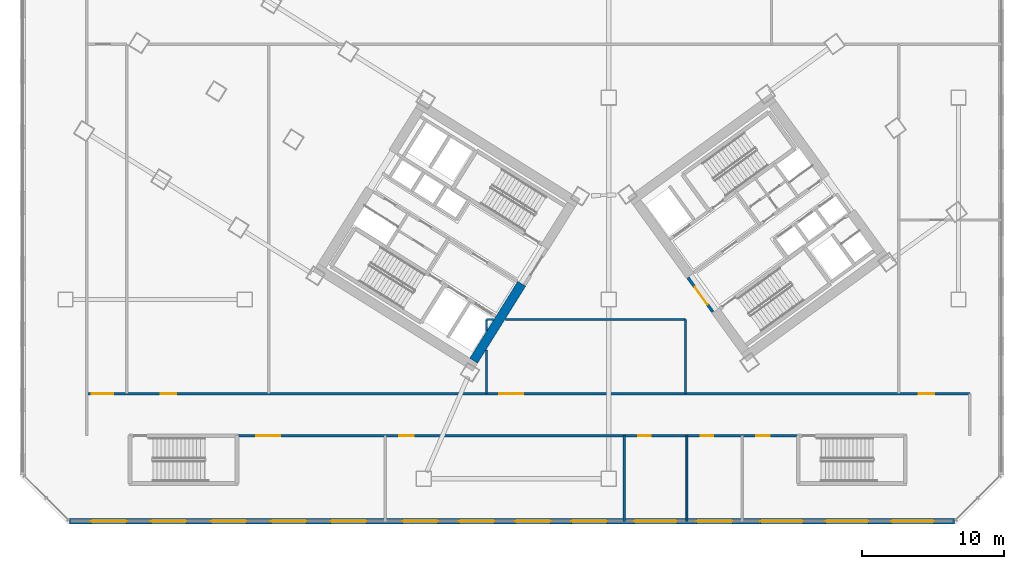
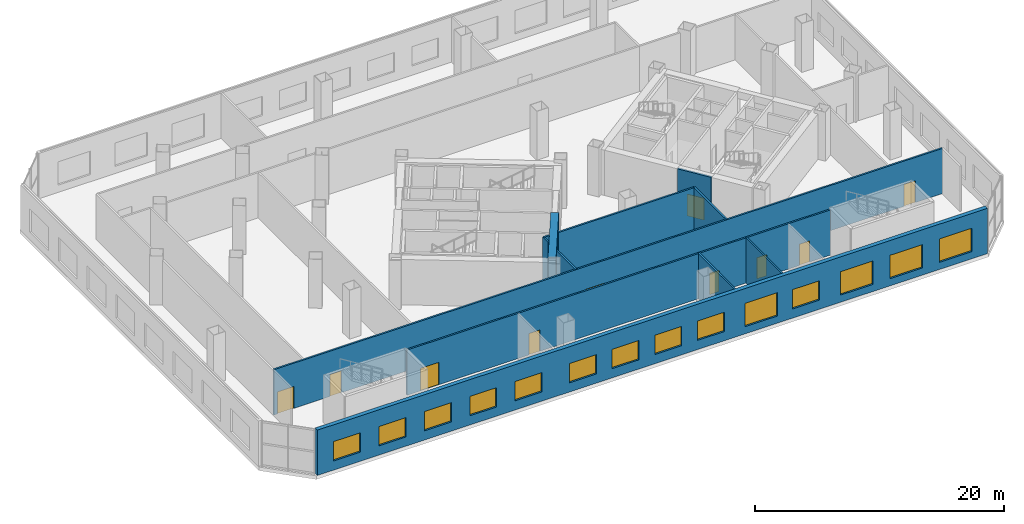
# One storey, part 11 of 22: 14 windows, 12 walls, 10 doors, 24 openings.
"""IFC4 building model written with IfcOpenShell, lengths in metres."""

from ifc_helpers import new_model, si_unit, direction, frame, frame_2d, origin, place, context, subcontext, project, spatial, rectangle, extrude, source, transform, mapped, material, layer, layer_set, type_object, element, fill, save


model = new_model("IFC4")

# Units and contexts
model_context = context("Model", 3, precision=1e-05, world=origin(), true_north=direction((0.0, 1.0)))
body_context = subcontext(model_context, "Body", "Model", "MODEL_VIEW")
ifc_project = project(units=[si_unit("LENGTHUNIT", "METRE"), si_unit("AREAUNIT", "SQUARE_METRE"), si_unit("VOLUMEUNIT", "CUBIC_METRE"), si_unit("PLANEANGLEUNIT", "RADIAN"), si_unit("MASSUNIT", "GRAM", prefix="KILO")], contexts=[model_context])

# Site, building, storey
site_placement = place(None, origin())
site = spatial("IfcSite", under=ifc_project, at=site_placement, CompositionType="ELEMENT")
building_placement = place(site_placement, origin())
building = spatial("IfcBuilding", under=site, at=building_placement, Name="Tlacorven Tower", CompositionType="ELEMENT")
storey_placement = place(building_placement, frame((0.0, 0.0, 5.39990234375)))
storey = spatial("IfcBuildingStorey", under=building, at=storey_placement, Name="L01", CompositionType="ELEMENT", Elevation=5.39990234375)

# Wall
ifc_material_1 = material(Name="Concrete C60/75", Category="concrete")
ifc_layer_1 = layer(ifc_material_1, 0.64990234375)
ifc_layer_set_1 = layer_set([ifc_layer_1], Name="Concrete C60/75")
wall_type_1 = type_object("IfcWallType", Name="WL-COR-650", PredefinedType="SHEAR", material=ifc_layer_set_1)
wall_1_placement = place(storey_placement, frame((36.683349609375, 18.30419921875, 0.0), z_axis=(0.0, 0.0, 1.0), x_axis=(-0.529899109053, -0.848060690178, 0.0)))
element("IfcWall", 1, at=wall_1_placement, inside=storey, type_object=wall_type_1, Name="L01 W core end wall E1.2", PredefinedType="SHEAR", context=body_context, shape_type="SweptSolid", body=[
    extrude(rectangle(XDim=6.375244140625, YDim=0.64990234375, at=frame_2d((3.1875, 0.0))), origin(), (0.0, 0.0, 1.0), 4.4501953125),
])

# Wall, openings, doors
ifc_material_2 = material(Name="Gypsum plasterboard acoustic partition", Category="gypsum")
ifc_layer_2 = layer(ifc_material_2, 0.159912109375)
ifc_layer_set_2 = layer_set([ifc_layer_2], Name="Gypsum plasterboard acoustic partition")
wall_type_2 = type_object("IfcWallType", Name="WL-DEM-160", PredefinedType="PARTITIONING", material=ifc_layer_set_2)
wall_2_placement = place(storey_placement, frame((6.10009765625, 10.580078125, 0.0), z_axis=(0.0, 0.0, 1.0), x_axis=(1.0, 0.0, 0.0)))
wall_2 = element("IfcWall", 2, at=wall_2_placement, inside=storey, type_object=wall_type_2, Name="L01 partition 65", PredefinedType="PARTITIONING", context=body_context, shape_type="SweptSolid", body=[
    extrude(rectangle(XDim=62.099853515625, YDim=0.159912109375, at=frame_2d((31.0498046875, 0.0))), origin(), (0.0, 0.0, 1.0), 4.440185546875),
])
opening_1_placement = place(wall_2_placement, frame((29.0, 0.0, 0.0)))
opening_1 = element("IfcOpeningElement", 3, at=opening_1_placement, cuts=wall_2, Name="Opening D17", PredefinedType="OPENING", context=body_context, shape_type="SweptSolid", body=[
    extrude(rectangle(XDim=1.699951171875, YDim=2.199951171875, at=frame_2d((0.85009765625, 1.10009765625))), frame((0.0, 0.08984375, 0.0), z_axis=(0.0, -1.0, 0.0), x_axis=(1.0, 0.0, 0.0)), (0.0, 0.0, 1.0), 0.179931640625),
])
opening_2_placement = place(wall_2_placement, frame((0.35009765625, 0.0, 0.0)))
opening_2 = element("IfcOpeningElement", 4, at=opening_2_placement, cuts=wall_2, Name="Opening D10", PredefinedType="OPENING", context=body_context, shape_type="SweptSolid", body=[
    extrude(rectangle(XDim=1.5, YDim=2.14990234375, at=frame_2d((0.75, 1.074951171875))), frame((0.0, 0.08984375, 0.0), z_axis=(0.0, -1.0, 0.0), x_axis=(1.0, 0.0, 0.0)), (0.0, 0.0, 1.0), 0.179931640625),
])
opening_3_placement = place(wall_2_placement, frame((5.199951171875, 0.0, 0.0)))
opening_3 = element("IfcOpeningElement", 5, at=opening_3_placement, cuts=wall_2, Name="Opening D15", PredefinedType="OPENING", context=body_context, shape_type="SweptSolid", body=[
    extrude(rectangle(XDim=1.080078125, YDim=2.14990234375, at=frame_2d((0.5400390625, 1.074951171875))), frame((0.0, 0.08984375, 0.0), z_axis=(0.0, -1.0, 0.0), x_axis=(1.0, 0.0, 0.0)), (0.0, 0.0, 1.0), 0.179931640625),
])
opening_4_placement = place(wall_2_placement, frame((58.5, 0.0, 0.0)))
opening_4 = element("IfcOpeningElement", 6, at=opening_4_placement, cuts=wall_2, Name="Opening D15", PredefinedType="OPENING", context=body_context, shape_type="SweptSolid", body=[
    extrude(rectangle(XDim=1.080078125, YDim=2.14990234375, at=frame_2d((0.5400390625, 1.074951171875))), frame((0.0, 0.08984375, 0.0), z_axis=(0.0, -1.0, 0.0), x_axis=(1.0, 0.0, 0.0)), (0.0, 0.0, 1.0), 0.179931640625),
])
ifc_material_3 = material(Name="Fire-rated steel door assembly", Category="steel")
door_type_1 = type_object("IfcDoorType", Name="DR-LOB-FD60-1500", OperationType="DOUBLE_DOOR_SINGLE_SWING", PredefinedType="DOOR", material=ifc_material_3)
shared_shape_1 = source(origin(), body_context, "Body", "SweptSolid", [
    extrude(rectangle(XDim=1.5, YDim=2.14990234375, at=frame_2d((0.75, 1.074951171875))), frame((0.0, 0.02490234375, 0.0), z_axis=(0.0, -1.0, 0.0), x_axis=(1.0, 0.0, 0.0)), (0.0, 0.0, 1.0), 0.050048828125),
])
door_1_placement = place(opening_2_placement, origin())
door_1 = element("IfcDoor", 7, at=door_1_placement, inside=storey, type_object=door_type_1, Name="L01 door 032", OperationType="DOUBLE_DOOR_SINGLE_SWING", OverallHeight=2.14990234375, OverallWidth=1.5, PredefinedType="DOOR", context=body_context, shape_type="MappedRepresentation", body=[
    mapped(shared_shape_1, transform((0.0, 0.0, 0.0), scale=1.0)),
])
fill(opening_2, door_1)
door_type_2 = type_object("IfcDoorType", Name="DR-COM-HALL-1700", OperationType="DOUBLE_DOOR_SINGLE_SWING", PredefinedType="DOOR", material=ifc_material_3)
shared_shape_2 = source(origin(), body_context, "Body", "SweptSolid", [
    extrude(rectangle(XDim=1.699951171875, YDim=2.199951171875, at=frame_2d((0.85009765625, 1.10009765625))), frame((0.0, 0.02490234375, 0.0), z_axis=(0.0, -1.0, 0.0), x_axis=(1.0, 0.0, 0.0)), (0.0, 0.0, 1.0), 0.050048828125),
])
door_2_placement = place(opening_1_placement, origin())
door_2 = element("IfcDoor", 8, at=door_2_placement, inside=storey, type_object=door_type_2, Name="L01 door 024", OperationType="DOUBLE_DOOR_SINGLE_SWING", OverallHeight=2.199951171875, OverallWidth=1.699951171875, PredefinedType="DOOR", context=body_context, shape_type="MappedRepresentation", body=[
    mapped(shared_shape_2, transform((0.0, 0.0, 0.0), scale=1.0)),
])
fill(opening_1, door_2)
door_type_3 = type_object("IfcDoorType", Name="DR-CLN-CONS-1080", OperationType="NOTDEFINED", PredefinedType="DOOR", material=ifc_material_3)
shared_shape_3 = source(origin(), body_context, "Body", "SweptSolid", [
    extrude(rectangle(XDim=1.080078125, YDim=2.14990234375, at=frame_2d((0.5400390625, 1.074951171875))), frame((0.0, 0.02490234375, 0.0), z_axis=(0.0, -1.0, 0.0), x_axis=(1.0, 0.0, 0.0)), (0.0, 0.0, 1.0), 0.050048828125),
])
door_3_placement = place(opening_3_placement, origin())
door_3 = element("IfcDoor", 9, at=door_3_placement, inside=storey, type_object=door_type_3, Name="L01 door 037", OperationType="SINGLE_SWING_LEFT", OverallHeight=2.14990234375, OverallWidth=1.080078125, PredefinedType="DOOR", context=body_context, shape_type="MappedRepresentation", body=[
    mapped(shared_shape_3, transform((0.0, 0.0, 0.0), scale=1.0)),
])
fill(opening_3, door_3)
door_4_placement = place(opening_4_placement, origin())
door_4 = element("IfcDoor", 10, at=door_4_placement, inside=storey, type_object=door_type_3, Name="L01 door 038", OperationType="SINGLE_SWING_RIGHT", OverallHeight=2.14990234375, OverallWidth=1.080078125, PredefinedType="DOOR", context=body_context, shape_type="MappedRepresentation", body=[
    mapped(shared_shape_3, transform((0.0, 0.0, 0.0), scale=1.0)),
])
fill(opening_4, door_4)

wall_3_placement = place(storey_placement, frame((16.739990234375, 7.6201171875, 0.0), z_axis=(0.0, 0.0, 1.0), x_axis=(1.0, 0.0, 0.0)))
wall_3 = element("IfcWall", 11, at=wall_3_placement, inside=storey, type_object=wall_type_2, Name="L01 partition 66", PredefinedType="PARTITIONING", context=body_context, shape_type="SweptSolid", body=[
    extrude(rectangle(XDim=39.320068359375, YDim=0.159912109375, at=frame_2d((19.66015625, 0.0))), origin(), (0.0, 0.0, 1.0), 4.440185546875),
])
opening_5_placement = place(wall_3_placement, frame((1.260009765625, 0.0, 0.0)))
opening_5 = element("IfcOpeningElement", 12, at=opening_5_placement, cuts=wall_3, Name="Opening D17", PredefinedType="OPENING", context=body_context, shape_type="SweptSolid", body=[
    extrude(rectangle(XDim=1.699951171875, YDim=2.199951171875, at=frame_2d((0.85009765625, 1.10009765625))), frame((0.0, 0.08984375, 0.0), z_axis=(0.0, -1.0, 0.0), x_axis=(1.0, 0.0, 0.0)), (0.0, 0.0, 1.0), 0.179931640625),
])
opening_6_placement = place(wall_3_placement, frame((11.340087890625, 0.0, 0.0)))
opening_6 = element("IfcOpeningElement", 13, at=opening_6_placement, cuts=wall_3, Name="Opening D11", PredefinedType="OPENING", context=body_context, shape_type="SweptSolid", body=[
    extrude(rectangle(XDim=1.0, YDim=2.10009765625, at=frame_2d((0.5, 1.050048828125))), frame((0.0, 0.08984375, 0.0), z_axis=(0.0, -1.0, 0.0), x_axis=(1.0, 0.0, 0.0)), (0.0, 0.0, 1.0), 0.179931640625),
])
opening_7_placement = place(wall_3_placement, frame((28.139892578125, 0.0, 0.0)))
opening_7 = element("IfcOpeningElement", 14, at=opening_7_placement, cuts=wall_3, Name="Opening D13", PredefinedType="OPENING", context=body_context, shape_type="SweptSolid", body=[
    extrude(rectangle(XDim=0.8798828125, YDim=2.080078125, at=frame_2d((0.43994140625, 1.0400390625))), frame((0.0, 0.08984375, 0.0), z_axis=(0.0, -1.0, 0.0), x_axis=(1.0, 0.0, 0.0)), (0.0, 0.0, 1.0), 0.179931640625),
])
opening_8_placement = place(wall_3_placement, frame((32.5400390625, 0.0, 0.0)))
opening_8 = element("IfcOpeningElement", 15, at=opening_8_placement, cuts=wall_3, Name="Opening D13", PredefinedType="OPENING", context=body_context, shape_type="SweptSolid", body=[
    extrude(rectangle(XDim=0.8798828125, YDim=2.080078125, at=frame_2d((0.43994140625, 1.0400390625))), frame((0.0, 0.08984375, 0.0), z_axis=(0.0, -1.0, 0.0), x_axis=(1.0, 0.0, 0.0)), (0.0, 0.0, 1.0), 0.179931640625),
])
opening_9_placement = place(wall_3_placement, frame((36.43994140625, 0.0, 0.0)))
opening_9 = element("IfcOpeningElement", 16, at=opening_9_placement, cuts=wall_3, Name="Opening D14", PredefinedType="OPENING", context=body_context, shape_type="SweptSolid", body=[
    extrude(rectangle(XDim=0.9599609375, YDim=2.080078125, at=frame_2d((0.47998046875, 1.0400390625))), frame((0.0, 0.08984375, 0.0), z_axis=(0.0, -1.0, 0.0), x_axis=(1.0, 0.0, 0.0)), (0.0, 0.0, 1.0), 0.179931640625),
])
door_5_placement = place(opening_5_placement, frame((1.699951171875, 0.0, 0.0), z_axis=(0.0, 0.0, 1.0), x_axis=(-1.0, 0.0, 0.0)))
door_5 = element("IfcDoor", 17, at=door_5_placement, inside=storey, type_object=door_type_2, Name="L01 door 027", OperationType="DOUBLE_DOOR_SINGLE_SWING", OverallHeight=2.199951171875, OverallWidth=1.699951171875, PredefinedType="DOOR", context=body_context, shape_type="MappedRepresentation", body=[
    mapped(shared_shape_2, transform((0.0, 0.0, 0.0), scale=1.0)),
])
fill(opening_5, door_5)
door_type_4 = type_object("IfcDoorType", Name="DR-FLT-FD60-1000", OperationType="NOTDEFINED", PredefinedType="DOOR", material=ifc_material_3)
shared_shape_4 = source(origin(), body_context, "Body", "SweptSolid", [
    extrude(rectangle(XDim=1.0, YDim=2.10009765625, at=frame_2d((0.5, 1.050048828125))), frame((0.0, 0.02490234375, 0.0), z_axis=(0.0, -1.0, 0.0), x_axis=(1.0, 0.0, 0.0)), (0.0, 0.0, 1.0), 0.050048828125),
])
door_6_placement = place(opening_6_placement, frame((1.0, 0.0, 0.0), z_axis=(0.0, 0.0, 1.0), x_axis=(-1.0, 0.0, 0.0)))
door_6 = element("IfcDoor", 18, at=door_6_placement, inside=storey, type_object=door_type_4, Name="L01 door 028", OperationType="SINGLE_SWING_RIGHT", OverallHeight=2.10009765625, OverallWidth=1.0, PredefinedType="DOOR", context=body_context, shape_type="MappedRepresentation", body=[
    mapped(shared_shape_4, transform((0.0, 0.0, 0.0), scale=1.0)),
])
fill(opening_6, door_6)
ifc_material_4 = material(Name="Powder-coated aluminium and timber door", Category="wood")
door_type_5 = type_object("IfcDoorType", Name="DR-INT-WET-0880", OperationType="NOTDEFINED", PredefinedType="DOOR", material=ifc_material_4)
shared_shape_5 = source(origin(), body_context, "Body", "SweptSolid", [
    extrude(rectangle(XDim=0.8798828125, YDim=2.080078125, at=frame_2d((0.43994140625, 1.0400390625))), frame((0.0, 0.02490234375, 0.0), z_axis=(0.0, -1.0, 0.0), x_axis=(1.0, 0.0, 0.0)), (0.0, 0.0, 1.0), 0.050048828125),
])
door_7_placement = place(opening_7_placement, frame((0.8798828125, 0.0, 0.0), z_axis=(0.0, 0.0, 1.0), x_axis=(-1.0, 0.0, 0.0)))
door_7 = element("IfcDoor", 19, at=door_7_placement, inside=storey, type_object=door_type_5, Name="L01 door 029", OperationType="SINGLE_SWING_LEFT", OverallHeight=2.080078125, OverallWidth=0.8798828125, PredefinedType="DOOR", context=body_context, shape_type="MappedRepresentation", body=[
    mapped(shared_shape_5, transform((0.0, 0.0, 0.0), scale=1.0)),
])
fill(opening_7, door_7)
door_8_placement = place(opening_8_placement, frame((0.8798828125, 0.0, 0.0), z_axis=(0.0, 0.0, 1.0), x_axis=(-1.0, 0.0, 0.0)))
door_8 = element("IfcDoor", 20, at=door_8_placement, inside=storey, type_object=door_type_5, Name="L01 door 030", OperationType="SINGLE_SWING_RIGHT", OverallHeight=2.080078125, OverallWidth=0.8798828125, PredefinedType="DOOR", context=body_context, shape_type="MappedRepresentation", body=[
    mapped(shared_shape_5, transform((0.0, 0.0, 0.0), scale=1.0)),
])
fill(opening_8, door_8)
door_type_6 = type_object("IfcDoorType", Name="DR-INT-AWC-0960", OperationType="NOTDEFINED", PredefinedType="DOOR", material=ifc_material_4)
shared_shape_6 = source(origin(), body_context, "Body", "SweptSolid", [
    extrude(rectangle(XDim=0.9599609375, YDim=2.080078125, at=frame_2d((0.47998046875, 1.0400390625))), frame((0.0, 0.02490234375, 0.0), z_axis=(0.0, -1.0, 0.0), x_axis=(1.0, 0.0, 0.0)), (0.0, 0.0, 1.0), 0.050048828125),
])
door_9_placement = place(opening_9_placement, frame((0.9599609375, 0.0, 0.0), z_axis=(0.0, 0.0, 1.0), x_axis=(-1.0, 0.0, 0.0)))
door_9 = element("IfcDoor", 21, at=door_9_placement, inside=storey, type_object=door_type_6, Name="L01 door 031", OperationType="SINGLE_SWING_LEFT", OverallHeight=2.080078125, OverallWidth=0.9599609375, PredefinedType="DOOR", context=body_context, shape_type="MappedRepresentation", body=[
    mapped(shared_shape_6, transform((0.0, 0.0, 0.0), scale=1.0)),
])
fill(opening_9, door_9)

# Walls
wall_4_placement = place(storey_placement, frame((34.199951171875, 10.580078125, 0.0), z_axis=(0.0, 0.0, 1.0), x_axis=(0.0, 1.0, 0.0)))
element("IfcWall", 22, at=wall_4_placement, inside=storey, type_object=wall_type_2, Name="L01 partition 67", PredefinedType="PARTITIONING", context=body_context, shape_type="SweptSolid", body=[
    extrude(rectangle(XDim=3.08544921875, YDim=0.159912109375, at=frame_2d((1.542724609375, 0.0))), origin(), (0.0, 0.0, 1.0), 4.440185546875),
])
wall_5_placement = place(storey_placement, frame((34.199951171875, 14.993896484375, 0.0), z_axis=(0.0, 0.0, 1.0), x_axis=(0.0, 1.0, 0.0)))
element("IfcWall", 23, at=wall_5_placement, inside=storey, type_object=wall_type_2, Name="L01 partition 67", PredefinedType="PARTITIONING", context=body_context, shape_type="SweptSolid", body=[
    extrude(rectangle(XDim=0.80615234375, YDim=0.159912109375, at=frame_2d((0.403076171875, 0.0))), origin(), (0.0, 0.0, 1.0), 4.440185546875),
])
wall_6_placement = place(storey_placement, frame((48.199951171875, 10.580078125, 0.0), z_axis=(0.0, 0.0, 1.0), x_axis=(0.0, 1.0, 0.0)))
element("IfcWall", 24, at=wall_6_placement, inside=storey, type_object=wall_type_2, Name="L01 partition 68", PredefinedType="PARTITIONING", context=body_context, shape_type="SweptSolid", body=[
    extrude(rectangle(XDim=5.219970703125, YDim=0.159912109375, at=frame_2d((2.60986328125, 0.0))), origin(), (0.0, 0.0, 1.0), 4.440185546875),
])
wall_7_placement = place(storey_placement, frame((34.199951171875, 15.800048828125, 0.0), z_axis=(0.0, 0.0, 1.0), x_axis=(1.0, 0.0, 0.0)))
element("IfcWall", 25, at=wall_7_placement, inside=storey, type_object=wall_type_2, Name="L01 partition 69", PredefinedType="PARTITIONING", context=body_context, shape_type="SweptSolid", body=[
    extrude(rectangle(XDim=0.503662109375, YDim=0.159912109375, at=frame_2d((0.251953125, 0.0))), origin(), (0.0, 0.0, 1.0), 4.440185546875),
])
wall_8_placement = place(storey_placement, frame((35.53369140625, 15.800048828125, 0.0), z_axis=(0.0, 0.0, 1.0), x_axis=(1.0, 0.0, 0.0)))
element("IfcWall", 26, at=wall_8_placement, inside=storey, type_object=wall_type_2, Name="L01 partition 69", PredefinedType="PARTITIONING", context=body_context, shape_type="SweptSolid", body=[
    extrude(rectangle(XDim=12.666259765625, YDim=0.159912109375, at=frame_2d((6.3330078125, 0.0))), origin(), (0.0, 0.0, 1.0), 4.440185546875),
])
wall_9_placement = place(storey_placement, frame((43.889892578125, 1.60009765625, 0.0), z_axis=(0.0, 0.0, 1.0), x_axis=(0.0, 1.0, 0.0)))
element("IfcWall", 27, at=wall_9_placement, inside=storey, type_object=wall_type_2, Name="L01 partition 71", PredefinedType="PARTITIONING", context=body_context, shape_type="SweptSolid", body=[
    extrude(rectangle(XDim=6.02001953125, YDim=0.159912109375, at=frame_2d((3.010009765625, 0.0))), origin(), (0.0, 0.0, 1.0), 4.440185546875),
])

# Wall, openings, windows
ifc_material_5 = material(Name="Precast concrete C45/55", Category="concrete")
ifc_layer_3 = layer(ifc_material_5, 0.3798828125)
ifc_layer_set_3 = layer_set([ifc_layer_3], Name="Precast concrete C45/55")
wall_type_3 = type_object("IfcWallType", Name="WL-EXT-380", PredefinedType="STANDARD", material=ifc_layer_set_3)
wall_10_placement = place(storey_placement, frame((67.1171875, 1.60009765625, 0.0), z_axis=(0.0, 0.0, 1.0), x_axis=(-1.0, 0.0, 0.0)))
wall_10 = element("IfcWall", 28, at=wall_10_placement, inside=storey, type_object=wall_type_3, Name="L01 Podium Masonry-Frame Facade Wall 8", PredefinedType="STANDARD", context=body_context, shape_type="SweptSolid", body=[
    extrude(rectangle(XDim=62.234375, YDim=0.3798828125, at=frame_2d((31.1171875, 0.0))), origin(), (0.0, 0.0, 1.0), 4.4501953125),
])
opening_10_placement = place(wall_10_placement, frame((1.451171875, 0.0, 0.699951171875)))
opening_10 = element("IfcOpeningElement", 29, at=opening_10_placement, cuts=wall_10, Name="Opening WN17", PredefinedType="OPENING", context=body_context, shape_type="SweptSolid", body=[
    extrude(rectangle(XDim=3.0, YDim=2.300048828125, at=frame_2d((1.5, 1.14990234375))), frame((0.0, 0.199951171875, 0.0), z_axis=(0.0, -1.0, 0.0), x_axis=(1.0, 0.0, 0.0)), (0.0, 0.0, 1.0), 0.39990234375),
])
opening_11_placement = place(wall_10_placement, frame((6.0537109375, 0.0, 0.699951171875)))
opening_11 = element("IfcOpeningElement", 30, at=opening_11_placement, cuts=wall_10, Name="Opening WN17", PredefinedType="OPENING", context=body_context, shape_type="SweptSolid", body=[
    extrude(rectangle(XDim=3.0, YDim=2.300048828125, at=frame_2d((1.5, 1.14990234375))), frame((0.0, 0.199951171875, 0.0), z_axis=(0.0, -1.0, 0.0), x_axis=(1.0, 0.0, 0.0)), (0.0, 0.0, 1.0), 0.39990234375),
])
opening_12_placement = place(wall_10_placement, frame((10.656005859375, 0.0, 0.699951171875)))
opening_12 = element("IfcOpeningElement", 31, at=opening_12_placement, cuts=wall_10, Name="Opening WN17", PredefinedType="OPENING", context=body_context, shape_type="SweptSolid", body=[
    extrude(rectangle(XDim=3.0, YDim=2.300048828125, at=frame_2d((1.5, 1.14990234375))), frame((0.0, 0.199951171875, 0.0), z_axis=(0.0, -1.0, 0.0), x_axis=(1.0, 0.0, 0.0)), (0.0, 0.0, 1.0), 0.39990234375),
])
opening_13_placement = place(wall_10_placement, frame((15.627197265625, 0.0, 0.89990234375)))
opening_13 = element("IfcOpeningElement", 32, at=opening_13_placement, cuts=wall_10, Name="Opening WN18", PredefinedType="OPENING", context=body_context, shape_type="SweptSolid", body=[
    extrude(rectangle(XDim=2.5, YDim=1.89990234375, at=frame_2d((1.25, 0.949951171875))), frame((0.0, 0.199951171875, 0.0), z_axis=(0.0, -1.0, 0.0), x_axis=(1.0, 0.0, 0.0)), (0.0, 0.0, 1.0), 0.39990234375),
])
opening_14_placement = place(wall_10_placement, frame((19.522216796875, 0.0, 0.699951171875)))
opening_14 = element("IfcOpeningElement", 33, at=opening_14_placement, cuts=wall_10, Name="Opening WN17", PredefinedType="OPENING", context=body_context, shape_type="SweptSolid", body=[
    extrude(rectangle(XDim=3.0, YDim=2.300048828125, at=frame_2d((1.5, 1.14990234375))), frame((0.0, 0.199951171875, 0.0), z_axis=(0.0, -1.0, 0.0), x_axis=(1.0, 0.0, 0.0)), (0.0, 0.0, 1.0), 0.39990234375),
])
opening_15_placement = place(wall_10_placement, frame((24.437255859375, 0.0, 0.89990234375)))
opening_15 = element("IfcOpeningElement", 34, at=opening_15_placement, cuts=wall_10, Name="Opening WN18", PredefinedType="OPENING", context=body_context, shape_type="SweptSolid", body=[
    extrude(rectangle(XDim=2.5, YDim=1.89990234375, at=frame_2d((1.25, 0.949951171875))), frame((0.0, 0.199951171875, 0.0), z_axis=(0.0, -1.0, 0.0), x_axis=(1.0, 0.0, 0.0)), (0.0, 0.0, 1.0), 0.39990234375),
])
opening_16_placement = place(wall_10_placement, frame((28.397216796875, 0.0, 0.89990234375)))
opening_16 = element("IfcOpeningElement", 35, at=opening_16_placement, cuts=wall_10, Name="Opening WN18", PredefinedType="OPENING", context=body_context, shape_type="SweptSolid", body=[
    extrude(rectangle(XDim=2.5, YDim=1.89990234375, at=frame_2d((1.25, 0.949951171875))), frame((0.0, 0.199951171875, 0.0), z_axis=(0.0, -1.0, 0.0), x_axis=(1.0, 0.0, 0.0)), (0.0, 0.0, 1.0), 0.39990234375),
])
opening_17_placement = place(wall_10_placement, frame((32.357177734375, 0.0, 0.89990234375)))
opening_17 = element("IfcOpeningElement", 36, at=opening_17_placement, cuts=wall_10, Name="Opening WN18", PredefinedType="OPENING", context=body_context, shape_type="SweptSolid", body=[
    extrude(rectangle(XDim=2.5, YDim=1.89990234375, at=frame_2d((1.25, 0.949951171875))), frame((0.0, 0.199951171875, 0.0), z_axis=(0.0, -1.0, 0.0), x_axis=(1.0, 0.0, 0.0)), (0.0, 0.0, 1.0), 0.39990234375),
])
opening_18_placement = place(wall_10_placement, frame((36.317138671875, 0.0, 0.89990234375)))
opening_18 = element("IfcOpeningElement", 37, at=opening_18_placement, cuts=wall_10, Name="Opening WN18", PredefinedType="OPENING", context=body_context, shape_type="SweptSolid", body=[
    extrude(rectangle(XDim=2.5, YDim=1.89990234375, at=frame_2d((1.25, 0.949951171875))), frame((0.0, 0.199951171875, 0.0), z_axis=(0.0, -1.0, 0.0), x_axis=(1.0, 0.0, 0.0)), (0.0, 0.0, 1.0), 0.39990234375),
])
opening_19_placement = place(wall_10_placement, frame((41.364990234375, 0.0, 0.89990234375)))
opening_19 = element("IfcOpeningElement", 38, at=opening_19_placement, cuts=wall_10, Name="Opening WN18", PredefinedType="OPENING", context=body_context, shape_type="SweptSolid", body=[
    extrude(rectangle(XDim=2.5, YDim=1.89990234375, at=frame_2d((1.25, 0.949951171875))), frame((0.0, 0.199951171875, 0.0), z_axis=(0.0, -1.0, 0.0), x_axis=(1.0, 0.0, 0.0)), (0.0, 0.0, 1.0), 0.39990234375),
])
opening_20_placement = place(wall_10_placement, frame((45.580322265625, 0.0, 0.89990234375)))
opening_20 = element("IfcOpeningElement", 39, at=opening_20_placement, cuts=wall_10, Name="Opening WN18", PredefinedType="OPENING", context=body_context, shape_type="SweptSolid", body=[
    extrude(rectangle(XDim=2.5, YDim=1.89990234375, at=frame_2d((1.25, 0.949951171875))), frame((0.0, 0.199951171875, 0.0), z_axis=(0.0, -1.0, 0.0), x_axis=(1.0, 0.0, 0.0)), (0.0, 0.0, 1.0), 0.39990234375),
])
opening_21_placement = place(wall_10_placement, frame((49.795654296875, 0.0, 0.89990234375)))
opening_21 = element("IfcOpeningElement", 40, at=opening_21_placement, cuts=wall_10, Name="Opening WN18", PredefinedType="OPENING", context=body_context, shape_type="SweptSolid", body=[
    extrude(rectangle(XDim=2.5, YDim=1.89990234375, at=frame_2d((1.25, 0.949951171875))), frame((0.0, 0.199951171875, 0.0), z_axis=(0.0, -1.0, 0.0), x_axis=(1.0, 0.0, 0.0)), (0.0, 0.0, 1.0), 0.39990234375),
])
opening_22_placement = place(wall_10_placement, frame((54.01123046875, 0.0, 0.89990234375)))
opening_22 = element("IfcOpeningElement", 41, at=opening_22_placement, cuts=wall_10, Name="Opening WN18", PredefinedType="OPENING", context=body_context, shape_type="SweptSolid", body=[
    extrude(rectangle(XDim=2.5, YDim=1.89990234375, at=frame_2d((1.25, 0.949951171875))), frame((0.0, 0.199951171875, 0.0), z_axis=(0.0, -1.0, 0.0), x_axis=(1.0, 0.0, 0.0)), (0.0, 0.0, 1.0), 0.39990234375),
])
opening_23_placement = place(wall_10_placement, frame((58.2265625, 0.0, 0.89990234375)))
opening_23 = element("IfcOpeningElement", 42, at=opening_23_placement, cuts=wall_10, Name="Opening WN18", PredefinedType="OPENING", context=body_context, shape_type="SweptSolid", body=[
    extrude(rectangle(XDim=2.5, YDim=1.89990234375, at=frame_2d((1.25, 0.949951171875))), frame((0.0, 0.199951171875, 0.0), z_axis=(0.0, -1.0, 0.0), x_axis=(1.0, 0.0, 0.0)), (0.0, 0.0, 1.0), 0.39990234375),
])
ifc_material_6 = material(Name="Dark solar low-E double glazing in anodised aluminium frame", Category="aluminium")
window_type_1 = type_object("IfcWindowType", Name="WN-STN-3000X2600", PartitioningType="SINGLE_PANEL", PredefinedType="WINDOW", material=ifc_material_6)
shared_shape_7 = source(origin(), body_context, "Body", "SweptSolid", [
    extrude(rectangle(XDim=3.0, YDim=2.300048828125, at=frame_2d((1.5, 1.14990234375))), frame((0.0, 0.030029296875, 0.0), z_axis=(0.0, -1.0, 0.0), x_axis=(1.0, 0.0, 0.0)), (0.0, 0.0, 1.0), 0.06005859375),
])
window_1_placement = place(opening_10_placement, origin())
window_1 = element("IfcWindow", 43, at=window_1_placement, inside=storey, type_object=window_type_1, Name="L01 Podium Recessed Facade Window 8.1", OverallHeight=2.300048828125, OverallWidth=3.0, PartitioningType="SINGLE_PANEL", PredefinedType="WINDOW", context=body_context, shape_type="MappedRepresentation", body=[
    mapped(shared_shape_7, transform((0.0, 0.0, 0.0), scale=1.0)),
])
fill(opening_10, window_1)
window_2_placement = place(opening_11_placement, origin())
window_2 = element("IfcWindow", 44, at=window_2_placement, inside=storey, type_object=window_type_1, Name="L01 Podium Recessed Facade Window 8.2", OverallHeight=2.300048828125, OverallWidth=3.0, PartitioningType="SINGLE_PANEL", PredefinedType="WINDOW", context=body_context, shape_type="MappedRepresentation", body=[
    mapped(shared_shape_7, transform((0.0, 0.0, 0.0), scale=1.0)),
])
fill(opening_11, window_2)
window_3_placement = place(opening_12_placement, origin())
window_3 = element("IfcWindow", 45, at=window_3_placement, inside=storey, type_object=window_type_1, Name="L01 Podium Recessed Facade Window 8.3", OverallHeight=2.300048828125, OverallWidth=3.0, PartitioningType="SINGLE_PANEL", PredefinedType="WINDOW", context=body_context, shape_type="MappedRepresentation", body=[
    mapped(shared_shape_7, transform((0.0, 0.0, 0.0), scale=1.0)),
])
fill(opening_12, window_3)
window_4_placement = place(opening_14_placement, origin())
window_4 = element("IfcWindow", 46, at=window_4_placement, inside=storey, type_object=window_type_1, Name="L01 Podium Recessed Facade Window 8.5", OverallHeight=2.300048828125, OverallWidth=3.0, PartitioningType="SINGLE_PANEL", PredefinedType="WINDOW", context=body_context, shape_type="MappedRepresentation", body=[
    mapped(shared_shape_7, transform((0.0, 0.0, 0.0), scale=1.0)),
])
fill(opening_14, window_4)
window_type_2 = type_object("IfcWindowType", Name="WN-STN-2500X2000", PartitioningType="SINGLE_PANEL", PredefinedType="WINDOW", material=ifc_material_6)
shared_shape_8 = source(origin(), body_context, "Body", "SweptSolid", [
    extrude(rectangle(XDim=2.5, YDim=1.89990234375, at=frame_2d((1.25, 0.949951171875))), frame((0.0, 0.030029296875, 0.0), z_axis=(0.0, -1.0, 0.0), x_axis=(1.0, 0.0, 0.0)), (0.0, 0.0, 1.0), 0.06005859375),
])
window_5_placement = place(opening_13_placement, origin())
window_5 = element("IfcWindow", 47, at=window_5_placement, inside=storey, type_object=window_type_2, Name="L01 Podium Recessed Facade Window 8.4", OverallHeight=1.89990234375, OverallWidth=2.5, PartitioningType="SINGLE_PANEL", PredefinedType="WINDOW", context=body_context, shape_type="MappedRepresentation", body=[
    mapped(shared_shape_8, transform((0.0, 0.0, 0.0), scale=1.0)),
])
fill(opening_13, window_5)
window_6_placement = place(opening_15_placement, origin())
window_6 = element("IfcWindow", 48, at=window_6_placement, inside=storey, type_object=window_type_2, Name="L01 Podium Recessed Facade Window 8.6", OverallHeight=1.89990234375, OverallWidth=2.5, PartitioningType="SINGLE_PANEL", PredefinedType="WINDOW", context=body_context, shape_type="MappedRepresentation", body=[
    mapped(shared_shape_8, transform((0.0, 0.0, 0.0), scale=1.0)),
])
fill(opening_15, window_6)
window_7_placement = place(opening_16_placement, origin())
window_7 = element("IfcWindow", 49, at=window_7_placement, inside=storey, type_object=window_type_2, Name="L01 Podium Recessed Facade Window 8.7", OverallHeight=1.89990234375, OverallWidth=2.5, PartitioningType="SINGLE_PANEL", PredefinedType="WINDOW", context=body_context, shape_type="MappedRepresentation", body=[
    mapped(shared_shape_8, transform((0.0, 0.0, 0.0), scale=1.0)),
])
fill(opening_16, window_7)
window_8_placement = place(opening_17_placement, origin())
window_8 = element("IfcWindow", 50, at=window_8_placement, inside=storey, type_object=window_type_2, Name="L01 Podium Recessed Facade Window 8.8", OverallHeight=1.89990234375, OverallWidth=2.5, PartitioningType="SINGLE_PANEL", PredefinedType="WINDOW", context=body_context, shape_type="MappedRepresentation", body=[
    mapped(shared_shape_8, transform((0.0, 0.0, 0.0), scale=1.0)),
])
fill(opening_17, window_8)
window_9_placement = place(opening_18_placement, origin())
window_9 = element("IfcWindow", 51, at=window_9_placement, inside=storey, type_object=window_type_2, Name="L01 Podium Recessed Facade Window 8.9", OverallHeight=1.89990234375, OverallWidth=2.5, PartitioningType="SINGLE_PANEL", PredefinedType="WINDOW", context=body_context, shape_type="MappedRepresentation", body=[
    mapped(shared_shape_8, transform((0.0, 0.0, 0.0), scale=1.0)),
])
fill(opening_18, window_9)
window_10_placement = place(opening_19_placement, origin())
window_10 = element("IfcWindow", 52, at=window_10_placement, inside=storey, type_object=window_type_2, Name="L01 Podium Recessed Facade Window 8.10", OverallHeight=1.89990234375, OverallWidth=2.5, PartitioningType="SINGLE_PANEL", PredefinedType="WINDOW", context=body_context, shape_type="MappedRepresentation", body=[
    mapped(shared_shape_8, transform((0.0, 0.0, 0.0), scale=1.0)),
])
fill(opening_19, window_10)
window_11_placement = place(opening_20_placement, origin())
window_11 = element("IfcWindow", 53, at=window_11_placement, inside=storey, type_object=window_type_2, Name="L01 Podium Recessed Facade Window 8.11", OverallHeight=1.89990234375, OverallWidth=2.5, PartitioningType="SINGLE_PANEL", PredefinedType="WINDOW", context=body_context, shape_type="MappedRepresentation", body=[
    mapped(shared_shape_8, transform((0.0, 0.0, 0.0), scale=1.0)),
])
fill(opening_20, window_11)
window_12_placement = place(opening_21_placement, origin())
window_12 = element("IfcWindow", 54, at=window_12_placement, inside=storey, type_object=window_type_2, Name="L01 Podium Recessed Facade Window 8.12", OverallHeight=1.89990234375, OverallWidth=2.5, PartitioningType="SINGLE_PANEL", PredefinedType="WINDOW", context=body_context, shape_type="MappedRepresentation", body=[
    mapped(shared_shape_8, transform((0.0, 0.0, 0.0), scale=1.0)),
])
fill(opening_21, window_12)
window_13_placement = place(opening_22_placement, origin())
window_13 = element("IfcWindow", 55, at=window_13_placement, inside=storey, type_object=window_type_2, Name="L01 Podium Recessed Facade Window 8.13", OverallHeight=1.89990234375, OverallWidth=2.5, PartitioningType="SINGLE_PANEL", PredefinedType="WINDOW", context=body_context, shape_type="MappedRepresentation", body=[
    mapped(shared_shape_8, transform((0.0, 0.0, 0.0), scale=1.0)),
])
fill(opening_22, window_13)
window_14_placement = place(opening_23_placement, origin())
window_14 = element("IfcWindow", 56, at=window_14_placement, inside=storey, type_object=window_type_2, Name="L01 Podium Recessed Facade Window 8.14", OverallHeight=1.89990234375, OverallWidth=2.5, PartitioningType="SINGLE_PANEL", PredefinedType="WINDOW", context=body_context, shape_type="MappedRepresentation", body=[
    mapped(shared_shape_8, transform((0.0, 0.0, 0.0), scale=1.0)),
])
fill(opening_23, window_14)

# Wall
ifc_material_7 = material(Name="Moisture-resistant gypsum plumbing wall", Category="gypsum")
ifc_layer_4 = layer(ifc_material_7, 0.139892578125)
ifc_layer_set_4 = layer_set([ifc_layer_4], Name="Moisture-resistant gypsum plumbing wall")
wall_type_4 = type_object("IfcWallType", Name="WL-PLM-140", PredefinedType="PLUMBINGWALL", material=ifc_layer_set_4)
wall_11_placement = place(storey_placement, frame((48.2900390625, 1.60009765625, 0.0), z_axis=(0.0, 0.0, 1.0), x_axis=(0.0, 1.0, 0.0)))
element("IfcWall", 57, at=wall_11_placement, inside=storey, type_object=wall_type_4, Name="L01 partition 72", PredefinedType="PLUMBINGWALL", context=body_context, shape_type="SweptSolid", body=[
    extrude(rectangle(XDim=6.02001953125, YDim=0.139892578125, at=frame_2d((3.010009765625, 0.0))), origin(), (0.0, 0.0, 1.0), 4.440185546875),
])

# Wall, opening, door
ifc_material_8 = material(Name="Concrete C40/50", Category="concrete")
ifc_layer_5 = layer(ifc_material_8, 0.199951171875)
ifc_layer_set_5 = layer_set([ifc_layer_5], Name="Concrete C40/50")
wall_type_5 = type_object("IfcWallType", Name="WL-SHF-200", PredefinedType="STANDARD", material=ifc_layer_set_5)
wall_12_placement = place(storey_placement, frame((50.119140625, 16.3330078125, 0.0), z_axis=(0.0, 0.0, 1.0), x_axis=(-0.587749856981, 0.809042709391, 0.0)))
wall_12 = element("IfcWall", 58, at=wall_12_placement, inside=storey, type_object=wall_type_5, Name="L01 partition 64", PredefinedType="STANDARD", context=body_context, shape_type="SweptSolid", body=[
    extrude(rectangle(XDim=2.9599609375, YDim=0.199951171875, at=frame_2d((1.47998046875, 0.0))), origin(), (0.0, 0.0, 1.0), 4.440185546875),
])
opening_24_placement = place(wall_12_placement, frame((0.64990234375, 0.0, 0.0)))
opening_24 = element("IfcOpeningElement", 59, at=opening_24_placement, cuts=wall_12, Name="Opening D10", PredefinedType="OPENING", context=body_context, shape_type="SweptSolid", body=[
    extrude(rectangle(XDim=1.5, YDim=2.14990234375, at=frame_2d((0.75, 1.074951171875))), frame((0.0, 0.10986328125, 0.0), z_axis=(0.0, -1.0, 0.0), x_axis=(1.0, 0.0, 0.0)), (0.0, 0.0, 1.0), 0.219970703125),
])
door_10_placement = place(opening_24_placement, frame((1.5, 0.0, 0.0), z_axis=(0.0, 0.0, 1.0), x_axis=(-1.0, 0.0, 0.0)))
door_10 = element("IfcDoor", 60, at=door_10_placement, inside=storey, type_object=door_type_1, Name="L01 door 026", OperationType="DOUBLE_DOOR_SINGLE_SWING", OverallHeight=2.14990234375, OverallWidth=1.5, PredefinedType="DOOR", context=body_context, shape_type="MappedRepresentation", body=[
    mapped(shared_shape_1, transform((0.0, 0.0, 0.0), scale=1.0)),
])
fill(opening_24, door_10)

save(model, "model.ifc")
